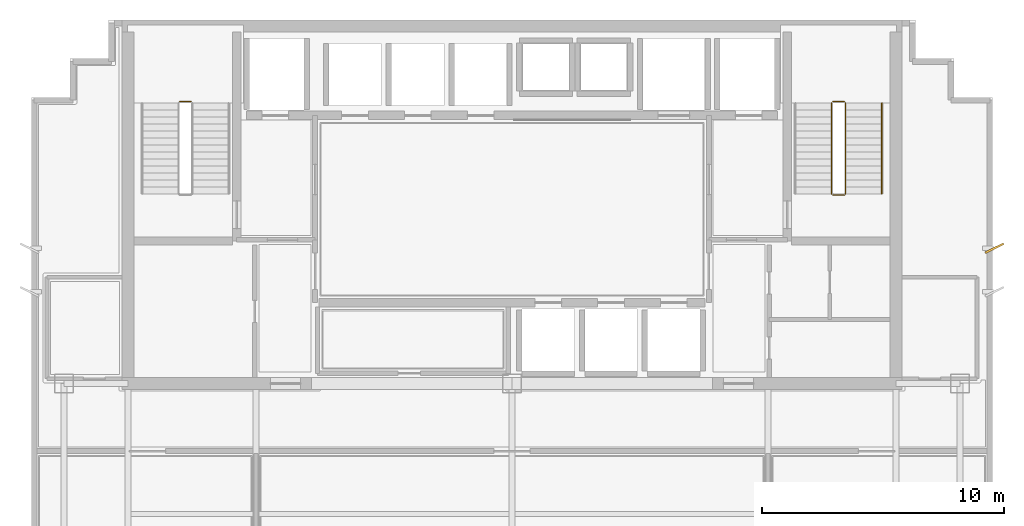
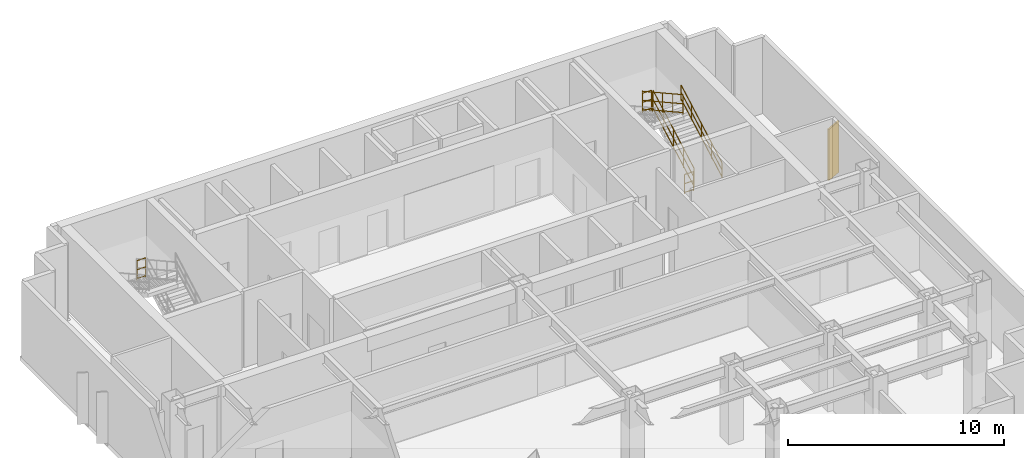
# One storey, part 8 of 8: 6 railings, 1 shading device.
"""IFC4 building model written with IfcOpenShell, lengths in metres."""

from ifc_helpers import new_model, si_unit, direction, frame, origin, origin_2d, place, context, subcontext, project, spatial, rectangle, circle, extrude, source, transform, mapped, material, type_object, element, save


model = new_model("IFC4")

# Units and contexts
model_context = context("Model", 3, precision=1e-05, world=origin(), true_north=direction((0.0, 1.0)))
body_context = subcontext(model_context, "Body", "Model", "MODEL_VIEW")
ifc_project = project(units=[si_unit("LENGTHUNIT", "METRE"), si_unit("AREAUNIT", "SQUARE_METRE"), si_unit("VOLUMEUNIT", "CUBIC_METRE"), si_unit("PLANEANGLEUNIT", "RADIAN"), si_unit("MASSUNIT", "GRAM", prefix="KILO")], contexts=[model_context])

# Site, building, storey
site_placement = place(None, origin())
site = spatial("IfcSite", under=ifc_project, at=site_placement, CompositionType="ELEMENT")
building_placement = place(site_placement, origin())
building = spatial("IfcBuilding", under=site, at=building_placement, Name="Qianlan Lanfeng Residences", CompositionType="ELEMENT")
storey_placement = place(building_placement, frame((0.0, 0.0, 192.199951171875)))
storey = spatial("IfcBuildingStorey", under=building, at=storey_placement, Name="L52", CompositionType="ELEMENT", Elevation=192.199951171875)

# Railings
ifc_material_1 = material(Name="Painted Galvanised Steel Guardrail", Category="steel")
railing_type_1 = type_object("IfcRailingType", Name="GR-ST-1120", PredefinedType="GUARDRAIL", material=ifc_material_1)
railing_1_placement = place(storey_placement, frame((13.219970703125, 36.8701171875, 2.25)))
element("IfcRailing", 1, at=railing_1_placement, inside=storey, type_object=railing_type_1, Name="L52 ST-1 stair guard 2", PredefinedType="GUARDRAIL", context=body_context, shape_type="SweptSolid", body=[
    extrude(circle(Radius=0.02392578125, at=origin_2d()), frame((0.0, 0.0, 0.083984375), z_axis=(-1.0, 0.0, 0.0), x_axis=(0.0, -1.0, 0.0)), (0.0, 0.0, 1.0), 0.47998046875),
    extrude(circle(Radius=0.02392578125, at=origin_2d()), frame((0.0, 0.0, 0.58251953125), z_axis=(-1.0, 0.0, 0.0), x_axis=(0.0, -1.0, 0.0)), (0.0, 0.0, 1.0), 0.47998046875),
    extrude(circle(Radius=0.02392578125, at=origin_2d()), frame((0.0, 0.0, 1.09619140625), z_axis=(-1.0, 0.0, 0.0), x_axis=(0.0, -1.0, 0.0)), (0.0, 0.0, 1.0), 0.47998046875),
    extrude(circle(Radius=0.02099609375, at=origin_2d()), origin(), (0.0, 0.0, 1.0), 1.072021484375),
    extrude(circle(Radius=0.02099609375, at=origin_2d()), frame((-0.47998046875, 0.0, 0.0)), (0.0, 0.0, 1.0), 1.072021484375),
])
railing_2_placement = place(storey_placement, frame((40.31005859375, 33.050048828125, 0.16064453125)))
element("IfcRailing", 2, at=railing_2_placement, inside=storey, type_object=railing_type_1, Name="L52 ST-2 stair guard 1", PredefinedType="GUARDRAIL", context=body_context, shape_type="SweptSolid", body=[
    extrude(circle(Radius=0.02392578125, at=origin_2d()), frame((0.0, 0.0, 0.083984375), z_axis=(0.0, 0.874659101714, 0.484738543742), x_axis=(-1.0, 0.0, 0.0)), (0.0, 0.0, 1.0), 4.310302734375),
    extrude(circle(Radius=0.02392578125, at=origin_2d()), frame((0.0, 0.0, 0.58251953125), z_axis=(0.0, 0.874659101714, 0.484738543742), x_axis=(-1.0, 0.0, 0.0)), (0.0, 0.0, 1.0), 4.310302734375),
    extrude(circle(Radius=0.02392578125, at=origin_2d()), frame((0.0, 0.0, 1.09619140625), z_axis=(0.0, 0.874659101714, 0.484738543742), x_axis=(-1.0, 0.0, 0.0)), (0.0, 0.0, 1.0), 4.310302734375),
    extrude(circle(Radius=0.02099609375, at=origin_2d()), origin(), (0.0, 0.0, 1.0), 1.072021484375),
    extrude(circle(Radius=0.02099609375, at=origin_2d()), frame((0.0, 0.9423828125, 0.5224609375)), (0.0, 0.0, 1.0), 1.072021484375),
    extrude(circle(Radius=0.02099609375, at=origin_2d()), frame((0.0, 1.885009765625, 1.044677734375)), (0.0, 0.0, 1.0), 1.072021484375),
    extrude(circle(Radius=0.02099609375, at=origin_2d()), frame((0.0, 2.82763671875, 1.56689453125)), (0.0, 0.0, 1.0), 1.072021484375),
    extrude(circle(Radius=0.02099609375, at=origin_2d()), frame((0.0, 3.77001953125, 2.08935546875)), (0.0, 0.0, 1.0), 1.072021484375),
])
railing_3_placement = place(storey_placement, frame((40.260009765625, 36.8701171875, 2.25)))
element("IfcRailing", 3, at=railing_3_placement, inside=storey, type_object=railing_type_1, Name="L52 ST-2 stair guard 2", PredefinedType="GUARDRAIL", context=body_context, shape_type="SweptSolid", body=[
    extrude(circle(Radius=0.02392578125, at=origin_2d()), frame((0.0, 0.0, 0.083984375), z_axis=(-1.0, 0.0, 0.0), x_axis=(0.0, -1.0, 0.0)), (0.0, 0.0, 1.0), 0.47998046875),
    extrude(circle(Radius=0.02392578125, at=origin_2d()), frame((0.0, 0.0, 0.58251953125), z_axis=(-1.0, 0.0, 0.0), x_axis=(0.0, -1.0, 0.0)), (0.0, 0.0, 1.0), 0.47998046875),
    extrude(circle(Radius=0.02392578125, at=origin_2d()), frame((0.0, 0.0, 1.09619140625), z_axis=(-1.0, 0.0, 0.0), x_axis=(0.0, -1.0, 0.0)), (0.0, 0.0, 1.0), 0.47998046875),
    extrude(circle(Radius=0.02099609375, at=origin_2d()), origin(), (0.0, 0.0, 1.0), 1.072021484375),
    extrude(circle(Radius=0.02099609375, at=origin_2d()), frame((-0.47998046875, 0.0, 0.0)), (0.0, 0.0, 1.0), 1.072021484375),
])
railing_4_placement = place(storey_placement, frame((39.72998046875, 36.820068359375, 2.41064453125)))
element("IfcRailing", 4, at=railing_4_placement, inside=storey, type_object=railing_type_1, Name="L52 ST-2 stair guard 3", PredefinedType="GUARDRAIL", context=body_context, shape_type="SweptSolid", body=[
    extrude(circle(Radius=0.02392578125, at=origin_2d()), frame((0.0, 0.0, 0.083984375), z_axis=(0.0, -0.874659101714, 0.484738543742), x_axis=(1.0, 0.0, 0.0)), (0.0, 0.0, 1.0), 4.310302734375),
    extrude(circle(Radius=0.02392578125, at=origin_2d()), frame((0.0, 0.0, 0.58251953125), z_axis=(0.0, -0.874659101714, 0.484738543742), x_axis=(1.0, 0.0, 0.0)), (0.0, 0.0, 1.0), 4.310302734375),
    extrude(circle(Radius=0.02392578125, at=origin_2d()), frame((0.0, 0.0, 1.09619140625), z_axis=(0.0, -0.874659101714, 0.484738543742), x_axis=(1.0, 0.0, 0.0)), (0.0, 0.0, 1.0), 4.310302734375),
    extrude(circle(Radius=0.02099609375, at=origin_2d()), origin(), (0.0, 0.0, 1.0), 1.072021484375),
    extrude(circle(Radius=0.02099609375, at=origin_2d()), frame((0.0, -0.9423828125, 0.5224609375)), (0.0, 0.0, 1.0), 1.072021484375),
    extrude(circle(Radius=0.02099609375, at=origin_2d()), frame((0.0, -1.885009765625, 1.044677734375)), (0.0, 0.0, 1.0), 1.072021484375),
    extrude(circle(Radius=0.02099609375, at=origin_2d()), frame((0.0, -2.82763671875, 1.56689453125)), (0.0, 0.0, 1.0), 1.072021484375),
    extrude(circle(Radius=0.02099609375, at=origin_2d()), frame((0.0, -3.77001953125, 2.08935546875)), (0.0, 0.0, 1.0), 1.072021484375),
])
railing_5_placement = place(storey_placement, frame((40.260009765625, 33.0, 0.0)))
element("IfcRailing", 5, at=railing_5_placement, inside=storey, type_object=railing_type_1, Name="L52 ST-2 stair guard 4", PredefinedType="GUARDRAIL", context=body_context, shape_type="SweptSolid", body=[
    extrude(circle(Radius=0.02392578125, at=origin_2d()), frame((0.0, 0.0, 0.083984375), z_axis=(-1.0, 0.0, 0.0), x_axis=(0.0, -1.0, 0.0)), (0.0, 0.0, 1.0), 0.47998046875),
    extrude(circle(Radius=0.02392578125, at=origin_2d()), frame((0.0, 0.0, 0.58251953125), z_axis=(-1.0, 0.0, 0.0), x_axis=(0.0, -1.0, 0.0)), (0.0, 0.0, 1.0), 0.47998046875),
    extrude(circle(Radius=0.02392578125, at=origin_2d()), frame((0.0, 0.0, 1.09619140625), z_axis=(-1.0, 0.0, 0.0), x_axis=(0.0, -1.0, 0.0)), (0.0, 0.0, 1.0), 0.47998046875),
    extrude(circle(Radius=0.02099609375, at=origin_2d()), origin(), (0.0, 0.0, 1.0), 1.072021484375),
    extrude(circle(Radius=0.02099609375, at=origin_2d()), frame((-0.47998046875, 0.0, 0.0)), (0.0, 0.0, 1.0), 1.072021484375),
])
ifc_material_2 = material(Name="Brushed Stainless Steel Handrail", Category="steel")
railing_type_2 = type_object("IfcRailingType", Name="HR-ST-920", PredefinedType="HANDRAIL", material=ifc_material_2)
railing_6_placement = place(storey_placement, frame((41.81005859375, 33.050048828125, 0.16064453125)))
element("IfcRailing", 6, at=railing_6_placement, inside=storey, type_object=railing_type_2, Name="L52 ST-2 stair handrail 1", PredefinedType="HANDRAIL", context=body_context, shape_type="SweptSolid", body=[
    extrude(circle(Radius=0.02392578125, at=origin_2d()), frame((0.0, 0.0, 0.083984375), z_axis=(0.0, 0.874659101714, 0.484738543742), x_axis=(-1.0, 0.0, 0.0)), (0.0, 0.0, 1.0), 4.310302734375),
    extrude(circle(Radius=0.02392578125, at=origin_2d()), frame((0.0, 0.0, 0.468017578125), z_axis=(0.0, 0.874659101714, 0.484738543742), x_axis=(-1.0, 0.0, 0.0)), (0.0, 0.0, 1.0), 4.310302734375),
    extrude(circle(Radius=0.02392578125, at=origin_2d()), frame((0.0, 0.0, 0.8759765625), z_axis=(0.0, 0.874659101714, 0.484738543742), x_axis=(-1.0, 0.0, 0.0)), (0.0, 0.0, 1.0), 4.310302734375),
    extrude(circle(Radius=0.02099609375, at=origin_2d()), origin(), (0.0, 0.0, 1.0), 0.851806640625),
    extrude(circle(Radius=0.02099609375, at=origin_2d()), frame((0.0, 0.9423828125, 0.5224609375)), (0.0, 0.0, 1.0), 0.851806640625),
    extrude(circle(Radius=0.02099609375, at=origin_2d()), frame((0.0, 1.885009765625, 1.044677734375)), (0.0, 0.0, 1.0), 0.851806640625),
    extrude(circle(Radius=0.02099609375, at=origin_2d()), frame((0.0, 2.82763671875, 1.56689453125)), (0.0, 0.0, 1.0), 0.851806640625),
    extrude(circle(Radius=0.02099609375, at=origin_2d()), frame((0.0, 3.77001953125, 2.08935546875)), (0.0, 0.0, 1.0), 0.851806640625),
])

# Shading device
ifc_material_3 = material(Name="Anodised Bronze Aluminium Solar Fin", Category="aluminium")
shading_device_type = type_object("IfcShadingDeviceType", Name="FIN-BRZ-850", PredefinedType="SHUTTER", material=ifc_material_3)
shared_shape = source(origin(), body_context, "Body", "SweptSolid", [
    extrude(rectangle(XDim=0.85009765625, YDim=0.080078125, at=origin_2d()), origin(), (0.0, 0.0, 1.0), 2.89990234375),
])
shading_device_placement = place(storey_placement, frame((46.469970703125, 30.800048828125, 0.0), z_axis=(0.0, 0.0, 1.0), x_axis=(0.898794046299, 0.438371146789, 0.0)))
element("IfcShadingDevice", 7, at=shading_device_placement, inside=storey, type_object=shading_device_type, Name="L52 Raked Bronze Solar Fin E2", PredefinedType="SHUTTER", context=body_context, shape_type="MappedRepresentation", body=[
    mapped(shared_shape, transform((0.0, 0.0, 0.0), scale=1.0)),
])

save(model, "model.ifc")
